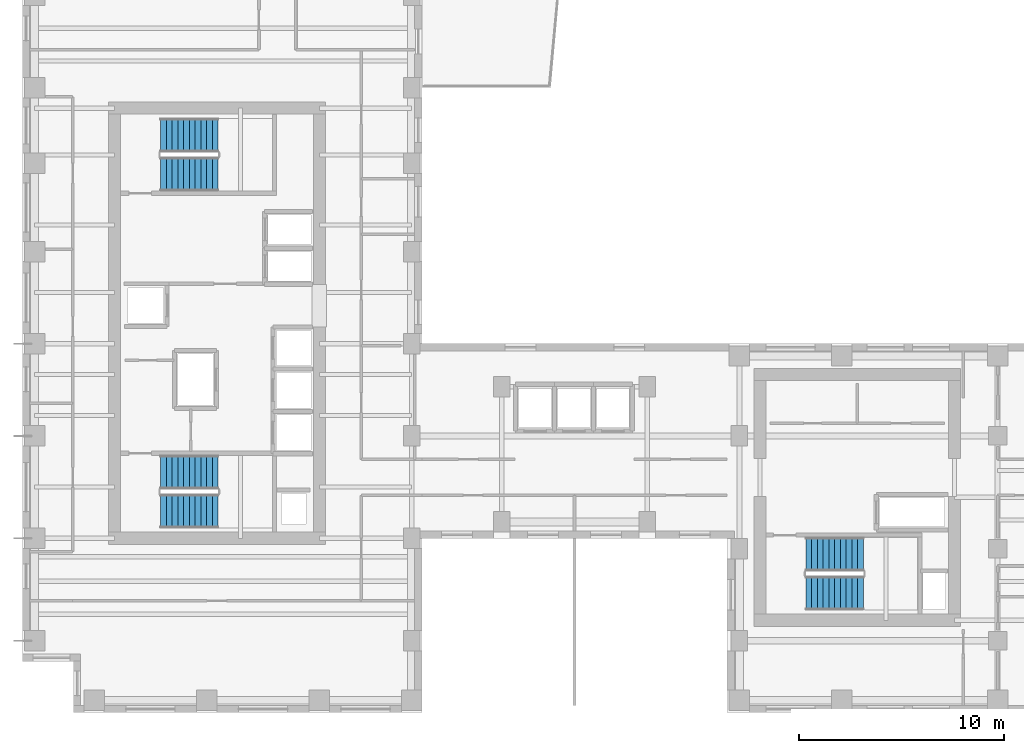
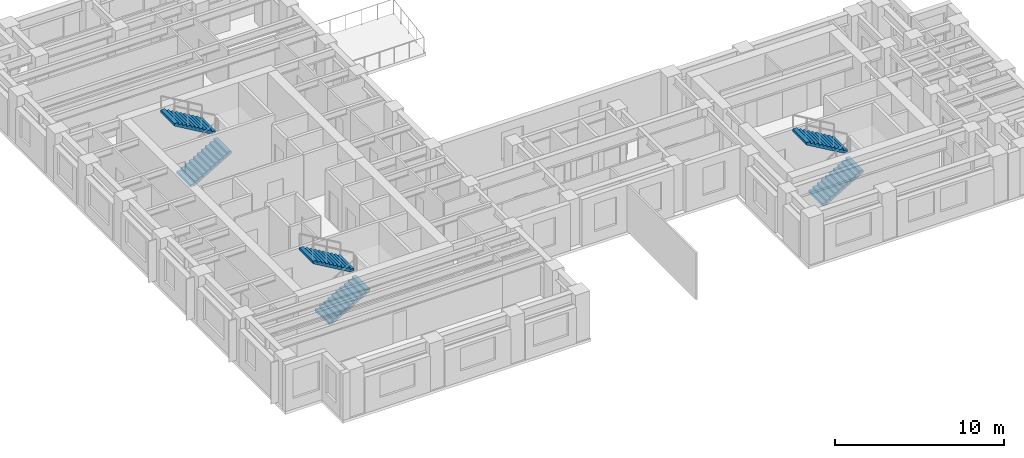
# One storey, part 9 of 11: 6 stair flights, 3 elements without a shape of their own.
"""IFC4 building model written with IfcOpenShell, lengths in metres."""

from ifc_helpers import new_model, si_unit, direction, frame, origin, place, context, subcontext, project, spatial, polyline, outline, extrude, source, transform, mapped, material, type_object, element, aggregate, save


model = new_model("IFC4")

# Units and contexts
model_context = context("Model", 3, precision=1e-05, world=origin(), true_north=direction((0.0, 1.0)))
body_context = subcontext(model_context, "Body", "Model", "MODEL_VIEW")
ifc_project = project(units=[si_unit("LENGTHUNIT", "METRE"), si_unit("AREAUNIT", "SQUARE_METRE"), si_unit("VOLUMEUNIT", "CUBIC_METRE"), si_unit("PLANEANGLEUNIT", "RADIAN"), si_unit("MASSUNIT", "GRAM", prefix="KILO")], contexts=[model_context])

# Site, building, storey
site_placement = place(None, origin())
site = spatial("IfcSite", under=ifc_project, at=site_placement, CompositionType="ELEMENT")
building_placement = place(site_placement, origin())
building = spatial("IfcBuilding", under=site, at=building_placement, Name="Kharzan Plaza Tower", CompositionType="ELEMENT")
storey_placement = place(building_placement, frame((0.0, 0.0, 171.89990234375)))
storey = spatial("IfcBuildingStorey", under=building, at=storey_placement, Name="L46", CompositionType="ELEMENT", Elevation=171.89990234375)

# Stair, stair flights
ifc_material = material(Name="Concrete C40/50", Category="concrete")
stair_type_1 = type_object("IfcStairType", Name="STR-ST-1", PredefinedType="HALF_TURN_STAIR", material=ifc_material)
stair_1_placement = place(storey_placement, origin())
stair_1 = element("IfcStair", 1, at=stair_1_placement, inside=storey, type_object=stair_type_1, Name="L46 Protected Exit Stair ST-1", PredefinedType="HALF_TURN_STAIR")
stair_flight_type = type_object("IfcStairFlightType", Name="SFL-1650-R173", PredefinedType="STRAIGHT", material=ifc_material)
shared_shape = source(origin(), body_context, "Body", "SweptSolid", [
    extrude(outline(polyline([(-0.0029296875, -0.011962890625), (-0.0029296875, 0.0), (0.0, 0.0), (0.0, 0.16357421875), (0.280029296875, 0.16357421875), (0.280029296875, 0.3271484375), (0.56005859375, 0.3271484375), (0.56005859375, 0.49072265625), (0.840087890625, 0.49072265625), (0.840087890625, 0.654296875), (1.1201171875, 0.654296875), (1.1201171875, 0.81787109375), (1.400146484375, 0.81787109375), (1.400146484375, 0.9814453125), (1.68017578125, 0.9814453125), (1.68017578125, 1.14501953125), (1.960205078125, 1.14501953125), (1.960205078125, 1.30859375), (2.240234375, 1.30859375), (2.240234375, 1.47216796875), (2.520263671875, 1.47216796875), (2.520263671875, 1.6357421875), (2.80029296875, 1.6357421875), (2.80029296875, 1.79931640625), (2.80029296875, 1.462158203125), (0.297119140625, 0.0), (0.297119140625, -0.011962890625), (-0.0029296875, -0.011962890625)])), frame((0.0, 0.824951171875, 0.0), z_axis=(0.0, -1.0, 0.0), x_axis=(1.0, 0.0, 0.0)), (0.0, 0.0, 1.0), 1.64990234375),
])
stair_flight_1_placement = place(storey_placement, frame((6.75, 9.824951171875, 0.0), z_axis=(0.0, 0.0, 1.0), x_axis=(1.0, 0.0, 0.0)))
stair_flight_1 = element("IfcStairFlight", 2, at=stair_flight_1_placement, type_object=stair_flight_type, Name="ST-1 flight 1", NumberOfRisers=11, NumberOfTreads=10, PredefinedType="STRAIGHT", RiserHeight=0.163636364, TreadLength=0.28, context=body_context, shape_type="MappedRepresentation", body=[
    mapped(shared_shape, transform((0.0, 0.0, 0.0), x_axis=(1.0, 0.0, 0.0), y_axis=(0.0, 1.0, 0.0), z_axis=(0.0, 0.0, 1.0))),
])
stair_flight_2_placement = place(storey_placement, frame((9.550048828125, 11.72509765625, 1.800048828125), z_axis=(0.0, 0.0, 1.0), x_axis=(-1.0, 0.0, 0.0)))
stair_flight_2 = element("IfcStairFlight", 3, at=stair_flight_2_placement, type_object=stair_flight_type, Name="ST-1 flight 2", NumberOfRisers=11, NumberOfTreads=10, PredefinedType="STRAIGHT", RiserHeight=0.163636364, TreadLength=0.28, context=body_context, shape_type="MappedRepresentation", body=[
    mapped(shared_shape, transform((0.0, 0.0, 0.0), x_axis=(1.0, 0.0, 0.0), y_axis=(0.0, 1.0, 0.0), z_axis=(0.0, 0.0, 1.0))),
])
aggregate(stair_1, [stair_flight_1, stair_flight_2])

stair_type_2 = type_object("IfcStairType", Name="STR-ST-2", PredefinedType="HALF_TURN_STAIR", material=ifc_material)
stair_2_placement = place(storey_placement, origin())
stair_2 = element("IfcStair", 4, at=stair_2_placement, inside=storey, type_object=stair_type_2, Name="L46 Protected Exit Stair ST-2", PredefinedType="HALF_TURN_STAIR")
stair_flight_3_placement = place(storey_placement, frame((6.75, 26.27490234375, 0.0), z_axis=(0.0, 0.0, 1.0), x_axis=(1.0, 0.0, 0.0)))
stair_flight_3 = element("IfcStairFlight", 5, at=stair_flight_3_placement, type_object=stair_flight_type, Name="ST-2 flight 1", NumberOfRisers=11, NumberOfTreads=10, PredefinedType="STRAIGHT", RiserHeight=0.163636364, TreadLength=0.28, context=body_context, shape_type="MappedRepresentation", body=[
    mapped(shared_shape, transform((0.0, 0.0, 0.0), x_axis=(1.0, 0.0, 0.0), y_axis=(0.0, 1.0, 0.0), z_axis=(0.0, 0.0, 1.0))),
])
stair_flight_4_placement = place(storey_placement, frame((9.550048828125, 28.175048828125, 1.800048828125), z_axis=(0.0, 0.0, 1.0), x_axis=(-1.0, 0.0, 0.0)))
stair_flight_4 = element("IfcStairFlight", 6, at=stair_flight_4_placement, type_object=stair_flight_type, Name="ST-2 flight 2", NumberOfRisers=11, NumberOfTreads=10, PredefinedType="STRAIGHT", RiserHeight=0.163636364, TreadLength=0.28, context=body_context, shape_type="MappedRepresentation", body=[
    mapped(shared_shape, transform((0.0, 0.0, 0.0), x_axis=(1.0, 0.0, 0.0), y_axis=(0.0, 1.0, 0.0), z_axis=(0.0, 0.0, 1.0))),
])
aggregate(stair_2, [stair_flight_3, stair_flight_4])

stair_type_3 = type_object("IfcStairType", Name="STR-ST-3", PredefinedType="HALF_TURN_STAIR", material=ifc_material)
stair_3_placement = place(storey_placement, origin())
stair_3 = element("IfcStair", 7, at=stair_3_placement, inside=storey, type_object=stair_type_3, Name="L46 Protected Exit Stair ST-3", PredefinedType="HALF_TURN_STAIR")
stair_flight_5_placement = place(storey_placement, frame((38.25, 5.824951171875, 0.0), z_axis=(0.0, 0.0, 1.0), x_axis=(1.0, 0.0, 0.0)))
stair_flight_5 = element("IfcStairFlight", 8, at=stair_flight_5_placement, type_object=stair_flight_type, Name="ST-3 flight 1", NumberOfRisers=11, NumberOfTreads=10, PredefinedType="STRAIGHT", RiserHeight=0.163636364, TreadLength=0.28, context=body_context, shape_type="MappedRepresentation", body=[
    mapped(shared_shape, transform((0.0, 0.0, 0.0), x_axis=(1.0, 0.0, 0.0), y_axis=(0.0, 1.0, 0.0), z_axis=(0.0, 0.0, 1.0))),
])
stair_flight_6_placement = place(storey_placement, frame((41.050048828125, 7.72509765625, 1.800048828125), z_axis=(0.0, 0.0, 1.0), x_axis=(-1.0, 0.0, 0.0)))
stair_flight_6 = element("IfcStairFlight", 9, at=stair_flight_6_placement, type_object=stair_flight_type, Name="ST-3 flight 2", NumberOfRisers=11, NumberOfTreads=10, PredefinedType="STRAIGHT", RiserHeight=0.163636364, TreadLength=0.28, context=body_context, shape_type="MappedRepresentation", body=[
    mapped(shared_shape, transform((0.0, 0.0, 0.0), x_axis=(1.0, 0.0, 0.0), y_axis=(0.0, 1.0, 0.0), z_axis=(0.0, 0.0, 1.0))),
])
aggregate(stair_3, [stair_flight_5, stair_flight_6])

save(model, "model.ifc")
